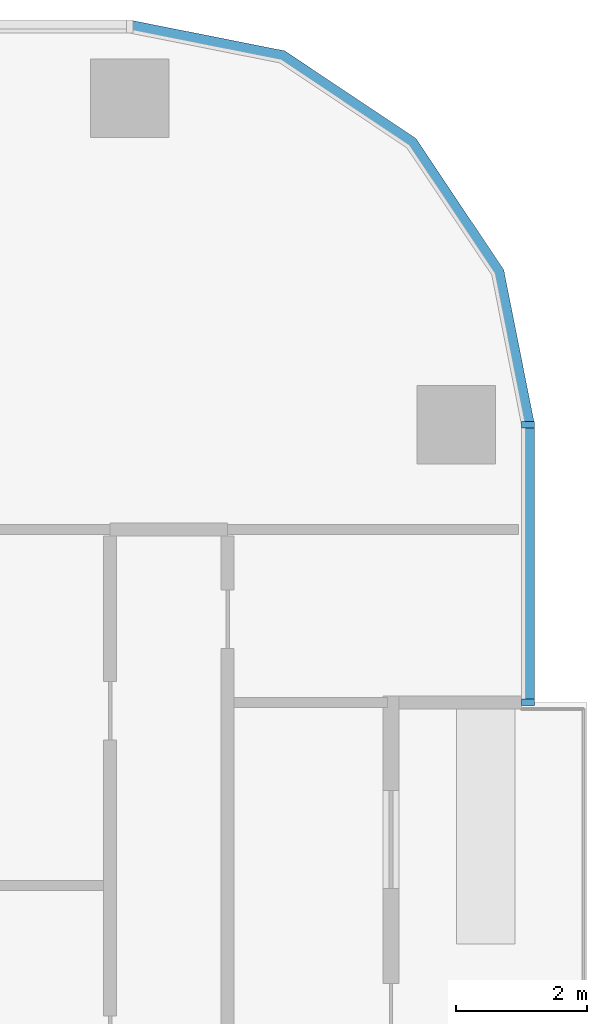
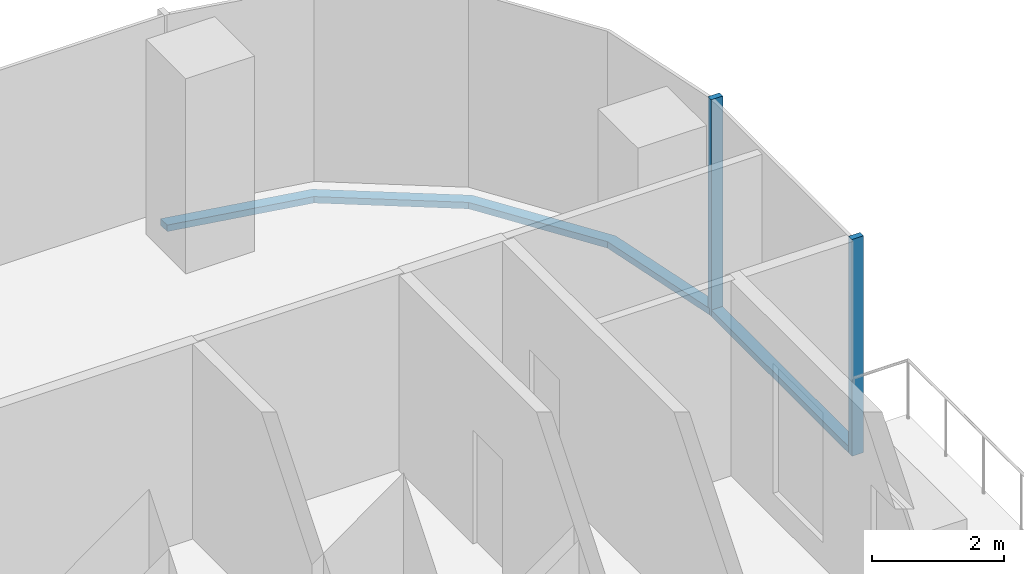
# One storey, part 5 of 15: 4 members, 2 elements without a shape of their own.
"""IFC4 building model written with IfcOpenShell, lengths in metres."""

from ifc_helpers import new_model, si_unit, direction, frame, origin, origin_2d, place, context, subcontext, project, spatial, polyline, rectangle, outline, extrude, material, material_profile, profile_set, type_object, element, aggregate, save


model = new_model("IFC4")

# Units and contexts
model_context = context("Model", 3, precision=1e-05, world=origin(), true_north=direction((0.0, 1.0)))
body_context = subcontext(model_context, "Body", "Model", "MODEL_VIEW")
ifc_project = project(units=[si_unit("LENGTHUNIT", "METRE"), si_unit("AREAUNIT", "SQUARE_METRE"), si_unit("VOLUMEUNIT", "CUBIC_METRE"), si_unit("PLANEANGLEUNIT", "RADIAN"), si_unit("MASSUNIT", "GRAM", prefix="KILO")], contexts=[model_context])

# Site, building, storey
site_placement = place(None, origin())
site = spatial("IfcSite", under=ifc_project, at=site_placement, CompositionType="ELEMENT")
building_placement = place(site_placement, origin())
building = spatial("IfcBuilding", under=site, at=building_placement, Name="Mopane Tessera Tower", CompositionType="ELEMENT")
storey_placement = place(building_placement, frame((0.0, 0.0, 177.0)))
storey = spatial("IfcBuildingStorey", under=building, at=storey_placement, Name="L36", CompositionType="ELEMENT", Elevation=177.0)

# Curtain wall, members
ifc_material_1 = material(Name="Aluminium frame", Category="aluminium")
curtain_wall_type = type_object("IfcCurtainWallType", Name="Unitised curtain wall", PredefinedType="NOTDEFINED", material=ifc_material_1)
curtain_wall_1_placement = place(storey_placement, origin())
curtain_wall_1 = element("IfcCurtainWall", 1, at=curtain_wall_1_placement, inside=storey, type_object=curtain_wall_type, Name="e:cw:L36:E:7", PredefinedType="NOTDEFINED")
ifc_material_2 = material(Name="Aluminium frame", Category="aluminium")
ifc_material_profile_1 = material_profile(ifc_material_2, rectangle(XDim=0.10009765625, YDim=0.199951171875, at=origin_2d()))
ifc_profile_set_1 = profile_set([ifc_material_profile_1], Name="Aluminium frame")
member_type_1 = type_object("IfcMemberType", Name="Aluminium mullion 100 x 200", PredefinedType="MULLION", material=ifc_profile_set_1)
member_1_placement = place(storey_placement, frame((26.300048828125, 12.75, -0.39990234375), z_axis=(0.0, 0.0, 1.0), x_axis=(0.0, 1.0, 0.0)))
member_1 = element("IfcMember", 2, at=member_1_placement, type_object=member_type_1, Name="e:cw:L36:E:7:mu7", PredefinedType="MULLION", context=body_context, shape_type="SweptSolid", body=[
    extrude(rectangle(XDim=0.10009765625, YDim=0.199951171875, at=origin_2d()), origin(), (0.0, 0.0, 1.0), 4.0),
])
member_2_placement = place(storey_placement, frame((26.300048828125, 17.0, -0.39990234375), z_axis=(0.0, 0.0, 1.0), x_axis=(0.0, 1.0, 0.0)))
member_2 = element("IfcMember", 3, at=member_2_placement, type_object=member_type_1, Name="e:cw:L36:E:7:mu8", PredefinedType="MULLION", context=body_context, shape_type="SweptSolid", body=[
    extrude(rectangle(XDim=0.10009765625, YDim=0.199951171875, at=origin_2d()), origin(), (0.0, 0.0, 1.0), 4.0),
])
ifc_material_3 = material(Name="Aluminium frame", Category="aluminium")
ifc_material_profile_2 = material_profile(ifc_material_3, rectangle(XDim=0.199951171875, YDim=0.1201171875, at=origin_2d()))
ifc_profile_set_2 = profile_set([ifc_material_profile_2], Name="Aluminium frame")
member_type_2 = type_object("IfcMemberType", Name="Aluminium transom 200 x 120", PredefinedType="USERDEFINED", material=ifc_profile_set_2)
member_3_placement = place(storey_placement, frame((26.300048828125, 12.800048828125, -0.340087890625), z_axis=(0.0, 1.0, 0.0), x_axis=(-1.0, 0.0, 0.0)))
member_3 = element("IfcMember", 4, at=member_3_placement, type_object=member_type_2, Name="e:cw:L36:E:7:tr7", ObjectType="TRANSOM", PredefinedType="USERDEFINED", context=body_context, shape_type="SweptSolid", body=[
    extrude(rectangle(XDim=0.199951171875, YDim=0.1201171875, at=origin_2d()), origin(), (0.0, 0.0, 1.0), 4.14990234375),
])
aggregate(curtain_wall_1, [member_1, member_2, member_3])

# Curtain wall, member
curtain_wall_2_placement = place(storey_placement, origin())
curtain_wall_2 = element("IfcCurtainWall", 5, at=curtain_wall_2_placement, inside=storey, type_object=curtain_wall_type, Name="e:cw:L36:CE", PredefinedType="NOTDEFINED")
member_4_placement = place(storey_placement, frame((0.0, 0.0, -0.39990234375)))
member_4 = element("IfcMember", 6, at=member_4_placement, type_object=member_type_2, Name="e:cw:L36:CE:tr", ObjectType="TRANSOM", PredefinedType="USERDEFINED", context=body_context, shape_type="SweptSolid", body=[
    extrude(outline(polyline([(26.199951171875, 17.0), (25.7431640625, 19.296142578125), (24.442626953125, 21.24267578125), (22.49609375, 22.543212890625), (20.199951171875, 23.0), (20.199951171875, 23.199951171875), (22.57275390625, 22.72802734375), (24.583984375, 21.384033203125), (25.927978515625, 19.37255859375), (26.39990234375, 17.0), (26.199951171875, 17.0)])), origin(), (0.0, 0.0, 1.0), 0.119873046875),
])
aggregate(curtain_wall_2, [member_4])

save(model, "model.ifc")
